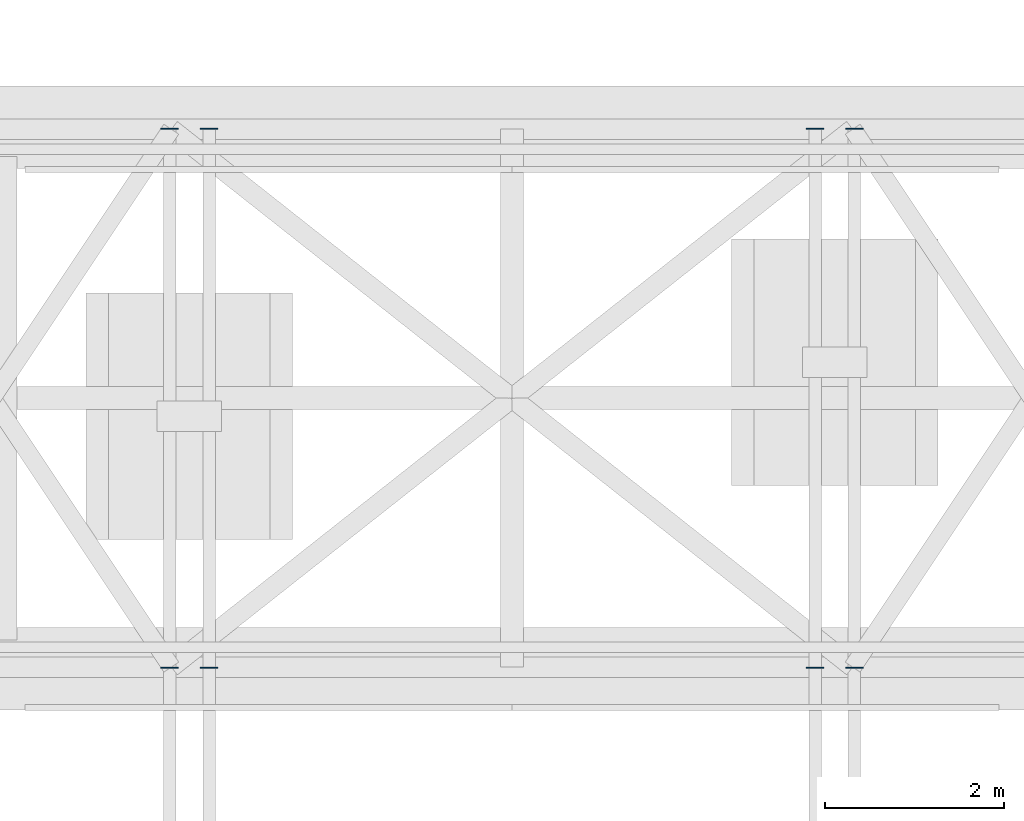
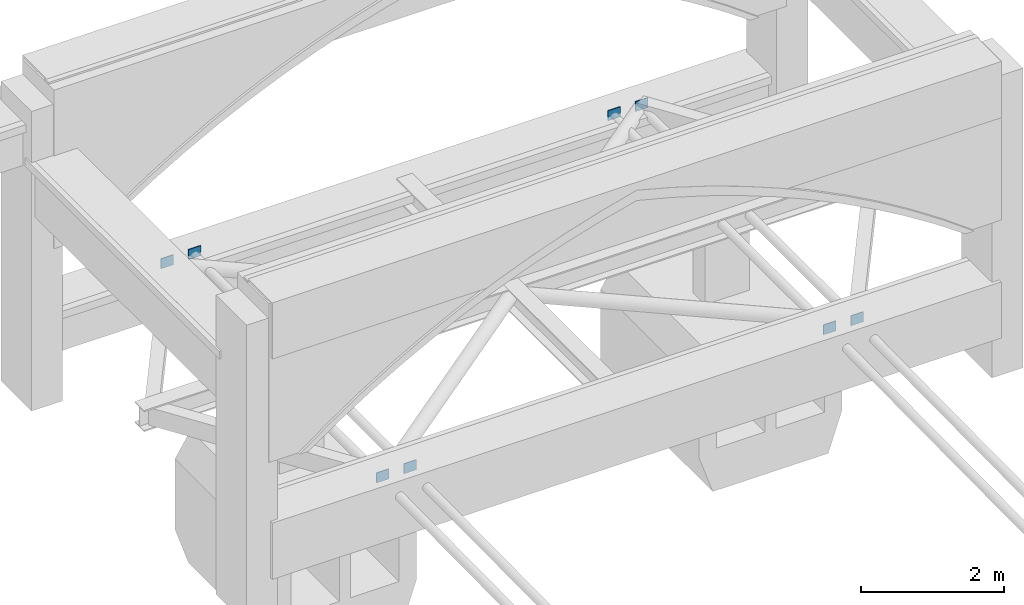
# One storey, part 44 of 59: 8 discrete accessories.
"""IFC4 building model written with IfcOpenShell, lengths in metres."""

from ifc_helpers import new_model, si_unit, direction, frame, origin, origin_2d, place, context, subcontext, project, spatial, rectangle, extrude, material, type_object, element, save


model = new_model("IFC4")

# Units and contexts
model_context = context("Model", 3, precision=1e-05, world=origin(), true_north=direction((0.0, 1.0)))
body_context = subcontext(model_context, "Body", "Model", "MODEL_VIEW")
ifc_project = project(units=[si_unit("LENGTHUNIT", "METRE"), si_unit("AREAUNIT", "SQUARE_METRE"), si_unit("VOLUMEUNIT", "CUBIC_METRE"), si_unit("PLANEANGLEUNIT", "RADIAN"), si_unit("MASSUNIT", "GRAM", prefix="KILO")], contexts=[model_context])

# Site, building, storey
site_placement = place(None, origin())
site = spatial("IfcSite", under=ifc_project, at=site_placement, CompositionType="ELEMENT")
building_placement = place(site_placement, origin())
building = spatial("IfcBuilding", under=site, at=building_placement, Name="Cumevento Cable Car Station", CompositionType="ELEMENT")
storey_placement = place(building_placement, frame((0.0, 0.0, 18.0)))
storey = spatial("IfcBuildingStorey", under=building, at=storey_placement, Name="L05", CompositionType="ELEMENT", Elevation=18.0)

# Discrete accessories
ifc_material = material(Name="Steel ASTM A572 Grade 50", Category="steel")
discrete_accessory_type = type_object("IfcDiscreteAccessoryType", Name="Track Rope End Anchor Plate KE-01", PredefinedType="BRACKET", material=ifc_material)
for number, where, z_axis, x_axis, name in (
    (1, (90.179931640625, 45.006103515625, 1.34912109375), (0.0, 0.0, 1.0), (0.0, 1.0, 0.0), "Track Rope End Anchor Plate #1"),
    (2, (90.179931640625, 38.993896484375, 1.34912109375), (0.0, 0.0, 1.0), (0.0, -1.0, 0.0), "Track Rope End Anchor Plate #2"),
    (3, (90.6201171875, 45.006103515625, 1.34912109375), (0.0, 0.0, 1.0), (0.0, 1.0, 0.0), "Track Rope End Anchor Plate #3"),
    (4, (90.6201171875, 38.993896484375, 1.34912109375), (0.0, 0.0, 1.0), (0.0, -1.0, 0.0), "Track Rope End Anchor Plate #4"),
    (5, (97.3798828125, 45.006103515625, 1.34912109375), (0.0, 0.0, 1.0), (0.0, 1.0, 0.0), "Track Rope End Anchor Plate #5"),
    (6, (97.3798828125, 38.993896484375, 1.34912109375), (0.0, 0.0, 1.0), (0.0, -1.0, 0.0), "Track Rope End Anchor Plate #6"),
    (7, (97.820068359375, 45.006103515625, 1.34912109375), (0.0, 0.0, 1.0), (0.0, 1.0, 0.0), "Track Rope End Anchor Plate #7"),
    (8, (97.820068359375, 38.993896484375, 1.34912109375), (0.0, 0.0, 1.0), (0.0, -1.0, 0.0), "Track Rope End Anchor Plate #8"),
):
    element("IfcDiscreteAccessory", number, at=place(storey_placement, frame(where, z_axis=z_axis, x_axis=x_axis)), inside=storey, type_object=discrete_accessory_type, Name=name, PredefinedType="BRACKET", context=body_context, shape_type="SweptSolid", body=[
        extrude(rectangle(XDim=0.013916015625, YDim=0.199951171875, at=origin_2d()), origin(), (0.0, 0.0, 1.0), 0.169921875),
    ])

save(model, "model.ifc")
